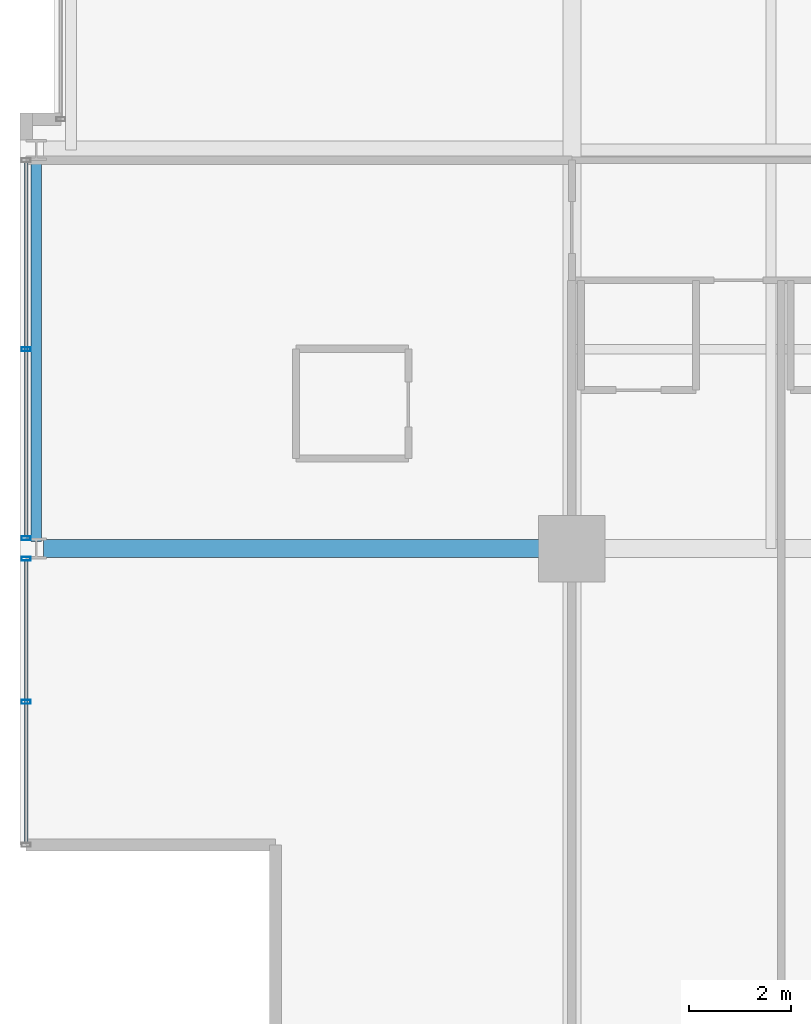
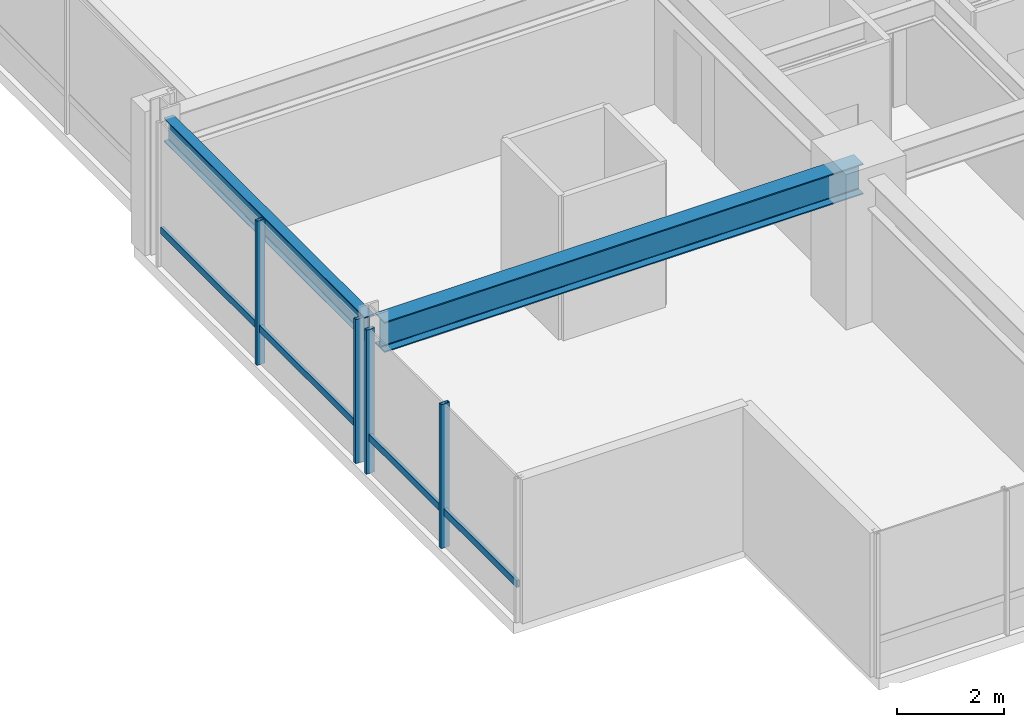
# One storey, part 4 of 33: 6 members, 2 beams, 2 elements without a shape of their own.
"""IFC4 building model written with IfcOpenShell, lengths in metres."""

from ifc_helpers import new_model, si_unit, direction, frame, origin, origin_2d, place, context, subcontext, project, spatial, hollow_rectangle, i_section, extrude, material, layer, layer_set, material_profile, profile_set, type_object, element, aggregate, save


model = new_model("IFC4")

# Units and contexts
model_context = context("Model", 3, precision=1e-05, world=origin(), true_north=direction((0.0, 1.0)))
body_context = subcontext(model_context, "Body", "Model", "MODEL_VIEW")
ifc_project = project(units=[si_unit("LENGTHUNIT", "METRE"), si_unit("AREAUNIT", "SQUARE_METRE"), si_unit("VOLUMEUNIT", "CUBIC_METRE"), si_unit("PLANEANGLEUNIT", "RADIAN"), si_unit("MASSUNIT", "GRAM", prefix="KILO")], contexts=[model_context])

# Site, building, storey
site_placement = place(None, origin())
site = spatial("IfcSite", under=ifc_project, at=site_placement, CompositionType="ELEMENT")
building_placement = place(site_placement, origin())
building = spatial("IfcBuilding", under=site, at=building_placement, Name="Drelvath Grand Hotel", CompositionType="ELEMENT")
storey_placement = place(building_placement, frame((0.0, 0.0, 153.949951171875)))
storey = spatial("IfcBuildingStorey", under=building, at=storey_placement, Name="L39", CompositionType="ELEMENT", Elevation=153.949951171875)

# Curtain wall, member
ifc_material_1 = material(Name="Brushed Pale-Silver Anodised Aluminium Frame", Category="aluminium")
ifc_layer = layer(ifc_material_1, 0.199951171875)
ifc_layer_set = layer_set([ifc_layer], Name="Brushed Pale-Silver Anodised Aluminium Frame")
curtain_wall_type = type_object("IfcCurtainWallType", Name="Stick Curtain Wall CW-04 Brushed Silver Upper-Mid", PredefinedType="NOTDEFINED", material=ifc_layer_set)
curtain_wall_1_placement = place(storey_placement, origin())
curtain_wall_1 = element("IfcCurtainWall", 1, at=curtain_wall_1_placement, inside=storey, type_object=curtain_wall_type, Name="L39 CW-04 Curtain Wall CW04-L39-WS1", PredefinedType="NOTDEFINED")
ifc_material_profile_1 = material_profile(ifc_material_1, hollow_rectangle(XDim=0.06494140625, YDim=0.159912109375, WallThickness=0.00390625, at=origin_2d()), Name="HSS160X65X4")
ifc_profile_set_1 = profile_set([ifc_material_profile_1], Name="Brushed Pale-Silver Anodised Aluminium Frame")
member_type_1 = type_object("IfcMemberType", Name="Curtain Wall Horizontal Transom CW-04 HSS160X65X4", PredefinedType="USERDEFINED", material=ifc_profile_set_1)
member_1_placement = place(storey_placement, frame((-26.8798828125, 5.0400390625, 0.822509765625), z_axis=(0.0, 1.0, 0.0), x_axis=(-1.0, 0.0, 0.0)))
member_1 = element("IfcMember", 2, at=member_1_placement, type_object=member_type_1, Name="CW04-L39-WS1 Sill Transom", ObjectType="TRANSOM", PredefinedType="USERDEFINED", context=body_context, shape_type="SweptSolid", body=[
    extrude(hollow_rectangle(XDim=0.06494140625, YDim=0.159912109375, WallThickness=0.00390625, at=origin_2d()), origin(), (0.0, 0.0, 1.0), 5.519775390625),
])

curtain_wall_2_placement = place(storey_placement, origin())
curtain_wall_2 = element("IfcCurtainWall", 3, at=curtain_wall_2_placement, inside=storey, type_object=curtain_wall_type, Name="L39 CW-04 Curtain Wall CW04-L39-WS2", PredefinedType="NOTDEFINED")
member_2_placement = place(storey_placement, frame((-26.8798828125, 11.0400390625, 0.822509765625), z_axis=(0.0, 1.0, 0.0), x_axis=(-1.0, 0.0, 0.0)))
member_2 = element("IfcMember", 4, at=member_2_placement, type_object=member_type_1, Name="CW04-L39-WS2 Sill Transom", ObjectType="TRANSOM", PredefinedType="USERDEFINED", context=body_context, shape_type="SweptSolid", body=[
    extrude(hollow_rectangle(XDim=0.06494140625, YDim=0.159912109375, WallThickness=0.00390625, at=origin_2d()), origin(), (0.0, 0.0, 1.0), 7.320068359375),
])

# Member
ifc_material_profile_2 = material_profile(ifc_material_1, hollow_rectangle(XDim=0.074951171875, YDim=0.179931640625, WallThickness=0.0048828125, at=origin_2d()), Name="HSS180X75X5")
ifc_profile_set_2 = profile_set([ifc_material_profile_2], Name="Brushed Pale-Silver Anodised Aluminium Frame")
member_type_2 = type_object("IfcMemberType", Name="Curtain Wall Vertical Mullion CW-04 HSS180X75X5", PredefinedType="MULLION", material=ifc_profile_set_2)
member_3_placement = place(storey_placement, frame((-26.8798828125, 7.7998046875, 0.0), z_axis=(0.0, 0.0, 1.0), x_axis=(0.0, 1.0, 0.0)))
member_3 = element("IfcMember", 5, at=member_3_placement, type_object=member_type_2, Name="CW04-L39-WS1 Mullion 2", PredefinedType="MULLION", context=body_context, shape_type="SweptSolid", body=[
    extrude(hollow_rectangle(XDim=0.074951171875, YDim=0.179931640625, WallThickness=0.0048828125, at=origin_2d()), origin(), (0.0, 0.0, 1.0), 3.2900390625),
])

member_4_placement = place(storey_placement, frame((-26.8798828125, 10.599853515625, 0.0), z_axis=(0.0, 0.0, 1.0), x_axis=(0.0, 1.0, 0.0)))
member_4 = element("IfcMember", 6, at=member_4_placement, type_object=member_type_2, Name="CW04-L39-WS1 Mullion 3", PredefinedType="MULLION", context=body_context, shape_type="SweptSolid", body=[
    extrude(hollow_rectangle(XDim=0.074951171875, YDim=0.179931640625, WallThickness=0.0048828125, at=origin_2d()), origin(), (0.0, 0.0, 1.0), 3.2900390625),
])

aggregate(curtain_wall_1, [member_3, member_4, member_1])

member_5_placement = place(storey_placement, frame((-26.8798828125, 11.0, 0.0), z_axis=(0.0, 0.0, 1.0), x_axis=(0.0, 1.0, 0.0)))
member_5 = element("IfcMember", 7, at=member_5_placement, type_object=member_type_2, Name="CW04-L39-WS2 Mullion 1", PredefinedType="MULLION", context=body_context, shape_type="SweptSolid", body=[
    extrude(hollow_rectangle(XDim=0.074951171875, YDim=0.179931640625, WallThickness=0.0048828125, at=origin_2d()), origin(), (0.0, 0.0, 1.0), 3.2900390625),
])

member_6_placement = place(storey_placement, frame((-26.8798828125, 14.699951171875, 0.0), z_axis=(0.0, 0.0, 1.0), x_axis=(0.0, 1.0, 0.0)))
member_6 = element("IfcMember", 8, at=member_6_placement, type_object=member_type_2, Name="CW04-L39-WS2 Mullion 2", PredefinedType="MULLION", context=body_context, shape_type="SweptSolid", body=[
    extrude(hollow_rectangle(XDim=0.074951171875, YDim=0.179931640625, WallThickness=0.0048828125, at=origin_2d()), origin(), (0.0, 0.0, 1.0), 3.2900390625),
])

aggregate(curtain_wall_2, [member_5, member_6, member_2])

# Beams
ifc_material_2 = material(Name="Steel ASTM A992 Gr 50", Category="steel")
ifc_material_profile_3 = material_profile(ifc_material_2, i_section(OverallWidth=0.210205078125, OverallDepth=0.53662109375, WebThickness=0.010986328125, FlangeThickness=0.017333984375, FilletRadius=0.01806640625, at=origin_2d()), Name="W21X68")
ifc_profile_set_3 = profile_set([ifc_material_profile_3], Name="Steel ASTM A992 Gr 50")
beam_type_1 = type_object("IfcBeamType", Name="Perimeter Spandrel Beam W21X68", PredefinedType="SPANDREL", material=ifc_profile_set_3)
beam_1_placement = place(storey_placement, frame((-26.679931640625, 10.93994140625, 3.021728515625), z_axis=(0.0, 1.0, 0.0), x_axis=(-1.0, 0.0, 0.0)))
element("IfcBeam", 9, at=beam_1_placement, inside=storey, type_object=beam_type_1, Name="L39 Spandrel West S", PredefinedType="SPANDREL", context=body_context, shape_type="SweptSolid", body=[
    extrude(i_section(OverallWidth=0.210205078125, OverallDepth=0.53662109375, WebThickness=0.010986328125, FlangeThickness=0.017333984375, FilletRadius=0.01806640625, at=origin_2d()), origin(), (0.0, 0.0, 1.0), 7.52001953125),
])
ifc_material_profile_4 = material_profile(ifc_material_2, i_section(OverallWidth=0.354736328125, OverallDepth=0.695556640625, WebThickness=0.015380859375, FlangeThickness=0.025146484375, FilletRadius=0.02392578125, at=origin_2d()), Name="W27X146")
ifc_profile_set_4 = profile_set([ifc_material_profile_4], Name="Steel ASTM A992 Gr 50")
beam_type_2 = type_object("IfcBeamType", Name="Primary Floor Girder W27X146", PredefinedType="BEAM", material=ifc_profile_set_4)
beam_2_placement = place(storey_placement, frame((-26.5400390625, 10.800048828125, 2.9423828125), z_axis=(1.0, 0.0, 0.0), x_axis=(0.0, 1.0, 0.0)))
element("IfcBeam", 10, at=beam_2_placement, inside=storey, type_object=beam_type_2, Name="L39 West Grid Girder C", PredefinedType="BEAM", context=body_context, shape_type="SweptSolid", body=[
    extrude(i_section(OverallWidth=0.354736328125, OverallDepth=0.695556640625, WebThickness=0.015380859375, FlangeThickness=0.025146484375, FilletRadius=0.02392578125, at=origin_2d()), origin(), (0.0, 0.0, 1.0), 10.340087890625),
])

save(model, "model.ifc")
